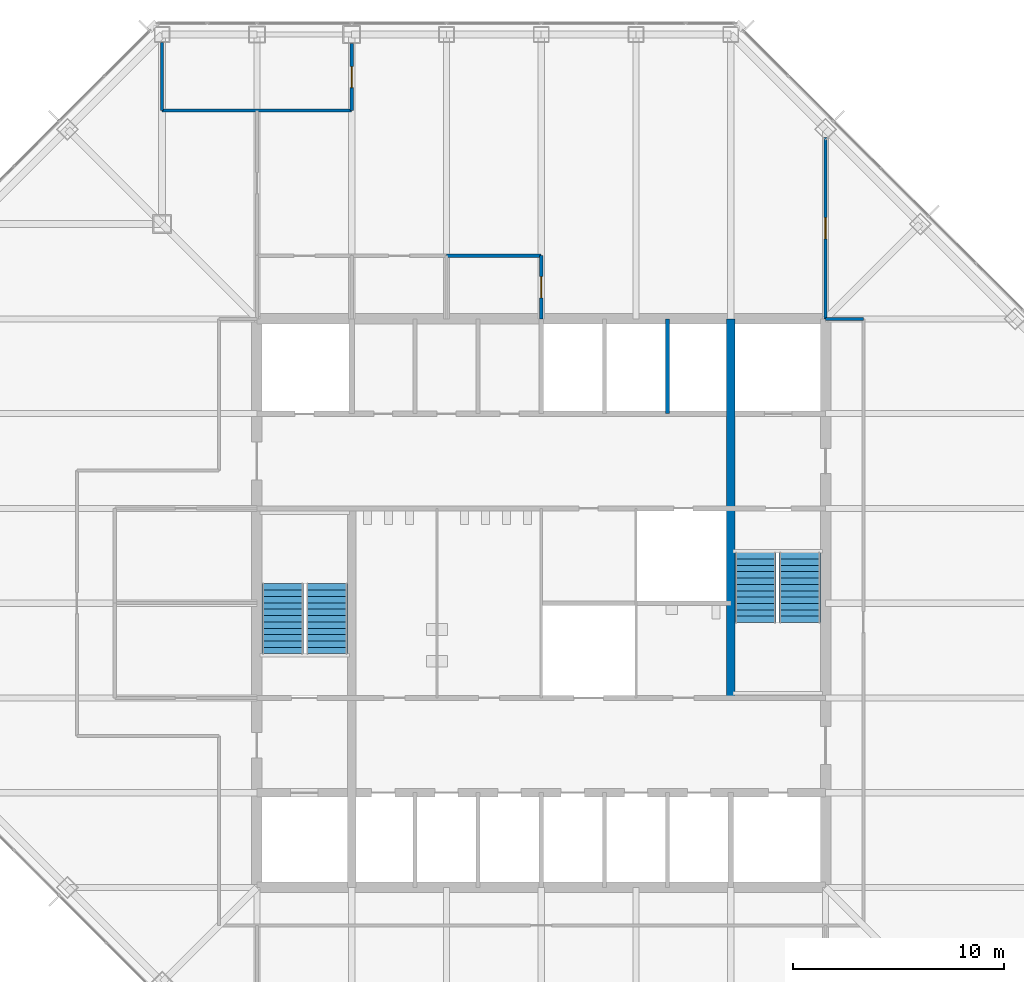
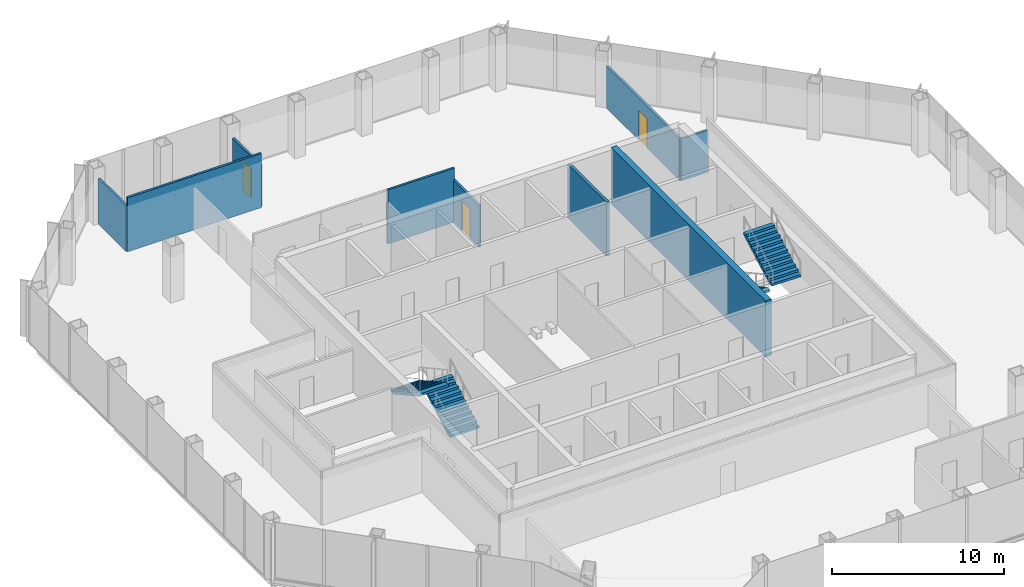
# One storey, part 10 of 12: 9 walls, 4 stair flights, 3 doors, 3 openings, 2 elements without a shape of their own.
"""IFC4 building model written with IfcOpenShell, lengths in metres."""

from ifc_helpers import new_model, si_unit, direction, frame, frame_2d, origin, place, context, subcontext, project, spatial, polyline, rectangle, outline, extrude, material, layer, layer_set, type_object, element, fill, aggregate, save


model = new_model("IFC4")

# Units and contexts
model_context = context("Model", 3, precision=1e-05, world=origin(), true_north=direction((0.0, 1.0)))
body_context = subcontext(model_context, "Body", "Model", "MODEL_VIEW")
ifc_project = project(units=[si_unit("LENGTHUNIT", "METRE"), si_unit("AREAUNIT", "SQUARE_METRE"), si_unit("VOLUMEUNIT", "CUBIC_METRE"), si_unit("PLANEANGLEUNIT", "RADIAN"), si_unit("MASSUNIT", "GRAM", prefix="KILO")], contexts=[model_context])

# Site, building, storey
site_placement = place(None, origin())
site = spatial("IfcSite", under=ifc_project, at=site_placement, CompositionType="ELEMENT")
building_placement = place(site_placement, origin())
building = spatial("IfcBuilding", under=site, at=building_placement, Name="Corais Broadcast Tower", CompositionType="ELEMENT")
storey_placement = place(building_placement, frame((0.0, 0.0, 127.60009765625)))
storey = spatial("IfcBuildingStorey", under=building, at=storey_placement, Name="L28", CompositionType="ELEMENT", Elevation=127.60009765625)

# Walls
ifc_material_1 = material(Name="Concrete C50/60", Category="concrete")
ifc_layer_1 = layer(ifc_material_1, 0.39990234375)
ifc_layer_set_1 = layer_set([ifc_layer_1], Name="Concrete C50/60")
wall_type_1 = type_object("IfcWallType", Name="Core wall 400", PredefinedType="SHEAR", material=ifc_layer_set_1)
wall_1_placement = place(storey_placement, frame((36.0, 22.5, 0.0), z_axis=(0.0, 0.0, 1.0), x_axis=(0.0, 1.0, 0.0)))
element("IfcWall", 1, at=wall_1_placement, inside=storey, type_object=wall_type_1, Name="CR400 core wall X36B L28", PredefinedType="SHEAR", context=body_context, shape_type="SweptSolid", body=[
    extrude(rectangle(XDim=18.0, YDim=0.39990234375, at=frame_2d((9.0, 0.0))), origin(), (0.0, 0.0, 1.0), 4.0),
])
ifc_material_2 = material(Name="Gypsum board on steel studs", Category="steel")
ifc_layer_2 = layer(ifc_material_2, 0.14990234375)
ifc_layer_set_2 = layer_set([ifc_layer_2], Name="Gypsum board on steel studs")
wall_type_2 = type_object("IfcWallType", Name="Partition 150", PredefinedType="PARTITIONING", material=ifc_layer_set_2)
wall_2_placement = place(storey_placement, frame((42.300048828125, 40.5, 0.0), z_axis=(0.0, 0.0, 1.0), x_axis=(-1.0, 0.0, 0.0)))
element("IfcWall", 2, at=wall_2_placement, inside=storey, type_object=wall_type_2, Name="IW3 corridor wall L28", PredefinedType="PARTITIONING", context=body_context, shape_type="SweptSolid", body=[
    extrude(rectangle(XDim=1.81005859375, YDim=0.14990234375, at=frame_2d((0.905029296875, 0.0))), origin(), (0.0, 0.0, 1.0), 2.989013671875),
])
wall_3_placement = place(storey_placement, frame((9.0, 50.39990234375, 0.0), z_axis=(0.0, 0.0, 1.0), x_axis=(1.0, 0.0, 0.0)))
element("IfcWall", 3, at=wall_3_placement, inside=storey, type_object=wall_type_2, Name="IW3 partition L28", PredefinedType="PARTITIONING", context=body_context, shape_type="SweptSolid", body=[
    extrude(rectangle(XDim=9.0, YDim=0.14990234375, at=frame_2d((4.5, 0.0))), origin(), (0.0, 0.0, 1.0), 3.83984375),
])

# Wall, opening, door
wall_4_placement = place(storey_placement, frame((18.0, 50.39990234375, 0.0), z_axis=(0.0, 0.0, 1.0), x_axis=(0.0, 1.0, 0.0)))
wall_4 = element("IfcWall", 4, at=wall_4_placement, inside=storey, type_object=wall_type_2, Name="IW3 partition L28", PredefinedType="PARTITIONING", context=body_context, shape_type="SweptSolid", body=[
    extrude(rectangle(XDim=3.1650390625, YDim=0.14990234375, at=frame_2d((1.58251953125, 0.0))), origin(), (0.0, 0.0, 1.0), 2.989013671875),
])
opening_1_placement = place(wall_4_placement, frame((1.08251953125, 0.0, 0.0)))
opening_1 = element("IfcOpeningElement", 5, at=opening_1_placement, cuts=wall_4, Name="Opening D1", PredefinedType="OPENING", context=body_context, shape_type="SweptSolid", body=[
    extrude(rectangle(XDim=1.0, YDim=2.10009765625, at=frame_2d((0.5, 1.050048828125))), frame((0.0, 0.0849609375, 0.0), z_axis=(0.0, -1.0, 0.0), x_axis=(1.0, 0.0, 0.0)), (0.0, 0.0, 1.0), 0.169921875),
])
ifc_material_3 = material(Name="Timber door", Category="wood")
door_type = type_object("IfcDoorType", Name="Single door 1000x2100", OperationType="SINGLE_SWING_LEFT", PredefinedType="DOOR", material=ifc_material_3)
door_1_placement = place(opening_1_placement, origin())
door_1 = element("IfcDoor", 6, at=door_1_placement, inside=storey, type_object=door_type, Name="D1 Pantry door", OperationType="SINGLE_SWING_LEFT", OverallHeight=2.10009765625, OverallWidth=1.0, PredefinedType="DOOR", context=body_context, shape_type="SweptSolid", body=[
    extrude(rectangle(XDim=1.0, YDim=2.10009765625, at=frame_2d((0.5, 1.050048828125))), frame((0.0, 0.02490234375, 0.0), z_axis=(0.0, -1.0, 0.0), x_axis=(1.0, 0.0, 0.0)), (0.0, 0.0, 1.0), 0.050048828125),
])
fill(opening_1, door_1)

# Wall
wall_5_placement = place(storey_placement, frame((9.0, 53.614990234375, 0.0), z_axis=(0.0, 0.0, 1.0), x_axis=(0.0, -1.0, 0.0)))
element("IfcWall", 7, at=wall_5_placement, inside=storey, type_object=wall_type_2, Name="IW3 partition L28", PredefinedType="PARTITIONING", context=body_context, shape_type="SweptSolid", body=[
    extrude(rectangle(XDim=3.215087890625, YDim=0.14990234375, at=frame_2d((1.607421875, 0.0))), origin(), (0.0, 0.0, 1.0), 3.22900390625),
])

# Wall, opening, door
wall_6_placement = place(storey_placement, frame((27.0, 40.5, 0.0), z_axis=(0.0, 0.0, 1.0), x_axis=(0.0, 1.0, 0.0)))
wall_6 = element("IfcWall", 8, at=wall_6_placement, inside=storey, type_object=wall_type_2, Name="IW3 partition L28", PredefinedType="PARTITIONING", context=body_context, shape_type="SweptSolid", body=[
    extrude(rectangle(XDim=3.0, YDim=0.14990234375, at=frame_2d((1.5, 0.0))), origin(), (0.0, 0.0, 1.0), 2.989013671875),
])
opening_2_placement = place(wall_6_placement, frame((1.0, 0.0, 0.0)))
opening_2 = element("IfcOpeningElement", 9, at=opening_2_placement, cuts=wall_6, Name="Opening D1", PredefinedType="OPENING", context=body_context, shape_type="SweptSolid", body=[
    extrude(rectangle(XDim=1.0, YDim=2.10009765625, at=frame_2d((0.5, 1.050048828125))), frame((0.0, 0.0849609375, 0.0), z_axis=(0.0, -1.0, 0.0), x_axis=(1.0, 0.0, 0.0)), (0.0, 0.0, 1.0), 0.169921875),
])
door_2_placement = place(opening_2_placement, origin())
door_2 = element("IfcDoor", 10, at=door_2_placement, inside=storey, type_object=door_type, Name="D1 Quiet room door", OperationType="SINGLE_SWING_LEFT", OverallHeight=2.10009765625, OverallWidth=1.0, PredefinedType="DOOR", context=body_context, shape_type="SweptSolid", body=[
    extrude(rectangle(XDim=1.0, YDim=2.10009765625, at=frame_2d((0.5, 1.050048828125))), frame((0.0, 0.02490234375, 0.0), z_axis=(0.0, -1.0, 0.0), x_axis=(1.0, 0.0, 0.0)), (0.0, 0.0, 1.0), 0.050048828125),
])
fill(opening_2, door_2)

# Wall
wall_7_placement = place(storey_placement, frame((27.0, 43.5, 0.0), z_axis=(0.0, 0.0, 1.0), x_axis=(-1.0, 0.0, 0.0)))
element("IfcWall", 11, at=wall_7_placement, inside=storey, type_object=wall_type_2, Name="IW3 partition L28", PredefinedType="PARTITIONING", context=body_context, shape_type="SweptSolid", body=[
    extrude(rectangle(XDim=4.5, YDim=0.14990234375, at=frame_2d((2.25, 0.0))), origin(), (0.0, 0.0, 1.0), 3.83984375),
])

# Wall, opening, door
wall_8_placement = place(storey_placement, frame((40.5, 49.10498046875, 0.0), z_axis=(0.0, 0.0, 1.0), x_axis=(0.0, -1.0, 0.0)))
wall_8 = element("IfcWall", 12, at=wall_8_placement, inside=storey, type_object=wall_type_2, Name="IW3 partition L28", PredefinedType="PARTITIONING", context=body_context, shape_type="SweptSolid", body=[
    extrude(rectangle(XDim=8.60498046875, YDim=0.14990234375, at=frame_2d((4.302490234375, 0.0))), origin(), (0.0, 0.0, 1.0), 2.989013671875),
])
opening_3_placement = place(wall_8_placement, frame((3.802490234375, 0.0, 0.0)))
opening_3 = element("IfcOpeningElement", 13, at=opening_3_placement, cuts=wall_8, Name="Opening D1", PredefinedType="OPENING", context=body_context, shape_type="SweptSolid", body=[
    extrude(rectangle(XDim=1.0, YDim=2.10009765625, at=frame_2d((0.5, 1.050048828125))), frame((0.0, 0.0849609375, 0.0), z_axis=(0.0, -1.0, 0.0), x_axis=(1.0, 0.0, 0.0)), (0.0, 0.0, 1.0), 0.169921875),
])
door_3_placement = place(opening_3_placement, origin())
door_3 = element("IfcDoor", 14, at=door_3_placement, inside=storey, type_object=door_type, Name="D1 team room door L28", OperationType="SINGLE_SWING_LEFT", OverallHeight=2.10009765625, OverallWidth=1.0, PredefinedType="DOOR", context=body_context, shape_type="SweptSolid", body=[
    extrude(rectangle(XDim=1.0, YDim=2.10009765625, at=frame_2d((0.5, 1.050048828125))), frame((0.0, 0.02490234375, 0.0), z_axis=(0.0, -1.0, 0.0), x_axis=(1.0, 0.0, 0.0)), (0.0, 0.0, 1.0), 0.050048828125),
])
fill(opening_3, door_3)

# Wall
ifc_material_4 = material(Name="Concrete blockwork class A, grouted, two-hour", Category="masonry")
ifc_layer_3 = layer(ifc_material_4, 0.199951171875)
ifc_layer_set_3 = layer_set([ifc_layer_3], Name="Concrete blockwork class A, grouted, two-hour")
wall_type_3 = type_object("IfcWallType", Name="Shaft wall 200", PredefinedType="PARTITIONING", material=ifc_layer_set_3)
wall_9_placement = place(storey_placement, frame((33.0, 36.0, 0.0), z_axis=(0.0, 0.0, 1.0), x_axis=(0.0, 1.0, 0.0)))
element("IfcWall", 15, at=wall_9_placement, inside=storey, type_object=wall_type_3, Name="IW1 shaft wall L28", PredefinedType="PARTITIONING", context=body_context, shape_type="SweptSolid", body=[
    extrude(rectangle(XDim=4.5, YDim=0.199951171875, at=frame_2d((2.25, 0.0))), origin(), (0.0, 0.0, 1.0), 3.83984375),
])

# Stair, stair flights
ifc_material_5 = material(Name="Concrete C30/37", Category="concrete")
stair_type = type_object("IfcStairType", Name="Half-turn stair 4000", PredefinedType="HALF_TURN_STAIR", material=ifc_material_5)
stair_1_placement = place(storey_placement, origin())
stair_1 = element("IfcStair", 16, at=stair_1_placement, inside=storey, type_object=stair_type, Name="Stair A L28", PredefinedType="HALF_TURN_STAIR")
ifc_material_6 = material(Name="Concrete C30/37", Category="concrete")
stair_flight_type = type_object("IfcStairFlightType", Name="Stair flight 4000", PredefinedType="STRAIGHT", material=ifc_material_6)
stair_flight_1_placement = place(storey_placement, frame((16.824951171875, 24.60009765625, 0.0), z_axis=(0.0, 0.0, 1.0), x_axis=(0.0, 1.0, 0.0)))
stair_flight_1 = element("IfcStairFlight", 17, at=stair_flight_1_placement, type_object=stair_flight_type, Name="STA flight 1", NumberOfRisers=12, NumberOfTreads=11, PredefinedType="STRAIGHT", RiserHeight=0.166666667, TreadLength=0.302, context=body_context, shape_type="SweptSolid", body=[
    extrude(outline(polyline([(0.0, 0.0), (0.0, 0.166748046875), (0.302001953125, 0.166748046875), (0.302001953125, 0.333251953125), (0.60400390625, 0.333251953125), (0.60400390625, 0.5), (0.906005859375, 0.5), (0.906005859375, 0.666748046875), (1.2080078125, 0.666748046875), (1.2080078125, 0.833251953125), (1.510009765625, 0.833251953125), (1.510009765625, 1.0), (1.81201171875, 1.0), (1.81201171875, 1.166748046875), (2.114013671875, 1.166748046875), (2.114013671875, 1.333251953125), (2.416015625, 1.333251953125), (2.416015625, 1.5), (2.718017578125, 1.5), (2.718017578125, 1.666748046875), (3.02001953125, 1.666748046875), (3.02001953125, 1.833251953125), (3.322021484375, 1.833251953125), (3.322021484375, 2.0), (3.322021484375, 1.662109375), (0.310302734375, 0.0), (0.0, 0.0)])), frame((0.0, 0.97509765625, 0.0), z_axis=(0.0, -1.0, 0.0), x_axis=(1.0, 0.0, 0.0)), (0.0, 0.0, 1.0), 1.949951171875),
])
stair_flight_2_placement = place(storey_placement, frame((14.72509765625, 27.922119140625, 2.0), z_axis=(0.0, 0.0, 1.0), x_axis=(0.0, -1.0, 0.0)))
stair_flight_2 = element("IfcStairFlight", 18, at=stair_flight_2_placement, type_object=stair_flight_type, Name="STA flight 2", NumberOfRisers=12, NumberOfTreads=11, PredefinedType="STRAIGHT", RiserHeight=0.166666667, TreadLength=0.302, context=body_context, shape_type="SweptSolid", body=[
    extrude(outline(polyline([(0.0, 0.0), (0.0, 0.166748046875), (0.302001953125, 0.166748046875), (0.302001953125, 0.333251953125), (0.60400390625, 0.333251953125), (0.60400390625, 0.5), (0.906005859375, 0.5), (0.906005859375, 0.666748046875), (1.2080078125, 0.666748046875), (1.2080078125, 0.833251953125), (1.510009765625, 0.833251953125), (1.510009765625, 1.0), (1.81201171875, 1.0), (1.81201171875, 1.166748046875), (2.114013671875, 1.166748046875), (2.114013671875, 1.333251953125), (2.416015625, 1.333251953125), (2.416015625, 1.5), (2.718017578125, 1.5), (2.718017578125, 1.666748046875), (3.02001953125, 1.666748046875), (3.02001953125, 1.833251953125), (3.322021484375, 1.833251953125), (3.322021484375, 2.0), (3.322021484375, 1.662109375), (0.310302734375, 0.0), (0.0, 0.0)])), frame((0.0, 0.97509765625, 0.0), z_axis=(0.0, -1.0, 0.0), x_axis=(1.0, 0.0, 0.0)), (0.0, 0.0, 1.0), 1.949951171875),
])
aggregate(stair_1, [stair_flight_1, stair_flight_2])

stair_2_placement = place(storey_placement, origin())
stair_2 = element("IfcStair", 19, at=stair_2_placement, inside=storey, type_object=stair_type, Name="Stair B L28", PredefinedType="HALF_TURN_STAIR")
stair_flight_3_placement = place(storey_placement, frame((37.175048828125, 29.39990234375, 0.0), z_axis=(0.0, 0.0, 1.0), x_axis=(0.0, -1.0, 0.0)))
stair_flight_3 = element("IfcStairFlight", 20, at=stair_flight_3_placement, type_object=stair_flight_type, Name="STB flight 1", NumberOfRisers=12, NumberOfTreads=11, PredefinedType="STRAIGHT", RiserHeight=0.166666667, TreadLength=0.302, context=body_context, shape_type="SweptSolid", body=[
    extrude(outline(polyline([(0.0, 0.0), (0.0, 0.166748046875), (0.302001953125, 0.166748046875), (0.302001953125, 0.333251953125), (0.60400390625, 0.333251953125), (0.60400390625, 0.5), (0.906005859375, 0.5), (0.906005859375, 0.666748046875), (1.2080078125, 0.666748046875), (1.2080078125, 0.833251953125), (1.510009765625, 0.833251953125), (1.510009765625, 1.0), (1.81201171875, 1.0), (1.81201171875, 1.166748046875), (2.114013671875, 1.166748046875), (2.114013671875, 1.333251953125), (2.416015625, 1.333251953125), (2.416015625, 1.5), (2.718017578125, 1.5), (2.718017578125, 1.666748046875), (3.02001953125, 1.666748046875), (3.02001953125, 1.833251953125), (3.322021484375, 1.833251953125), (3.322021484375, 2.0), (3.322021484375, 1.662109375), (0.310302734375, 0.0), (0.0, 0.0)])), frame((0.0, 0.97509765625, 0.0), z_axis=(0.0, -1.0, 0.0), x_axis=(1.0, 0.0, 0.0)), (0.0, 0.0, 1.0), 1.949951171875),
])
stair_flight_4_placement = place(storey_placement, frame((39.27490234375, 26.077880859375, 2.0), z_axis=(0.0, 0.0, 1.0), x_axis=(0.0, 1.0, 0.0)))
stair_flight_4 = element("IfcStairFlight", 21, at=stair_flight_4_placement, type_object=stair_flight_type, Name="STB flight 2", NumberOfRisers=12, NumberOfTreads=11, PredefinedType="STRAIGHT", RiserHeight=0.166666667, TreadLength=0.302, context=body_context, shape_type="SweptSolid", body=[
    extrude(outline(polyline([(0.0, 0.0), (0.0, 0.166748046875), (0.302001953125, 0.166748046875), (0.302001953125, 0.333251953125), (0.60400390625, 0.333251953125), (0.60400390625, 0.5), (0.906005859375, 0.5), (0.906005859375, 0.666748046875), (1.2080078125, 0.666748046875), (1.2080078125, 0.833251953125), (1.510009765625, 0.833251953125), (1.510009765625, 1.0), (1.81201171875, 1.0), (1.81201171875, 1.166748046875), (2.114013671875, 1.166748046875), (2.114013671875, 1.333251953125), (2.416015625, 1.333251953125), (2.416015625, 1.5), (2.718017578125, 1.5), (2.718017578125, 1.666748046875), (3.02001953125, 1.666748046875), (3.02001953125, 1.833251953125), (3.322021484375, 1.833251953125), (3.322021484375, 2.0), (3.322021484375, 1.662109375), (0.310302734375, 0.0), (0.0, 0.0)])), frame((0.0, 0.97509765625, 0.0), z_axis=(0.0, -1.0, 0.0), x_axis=(1.0, 0.0, 0.0)), (0.0, 0.0, 1.0), 1.949951171875),
])
aggregate(stair_2, [stair_flight_3, stair_flight_4])

save(model, "model.ifc")
